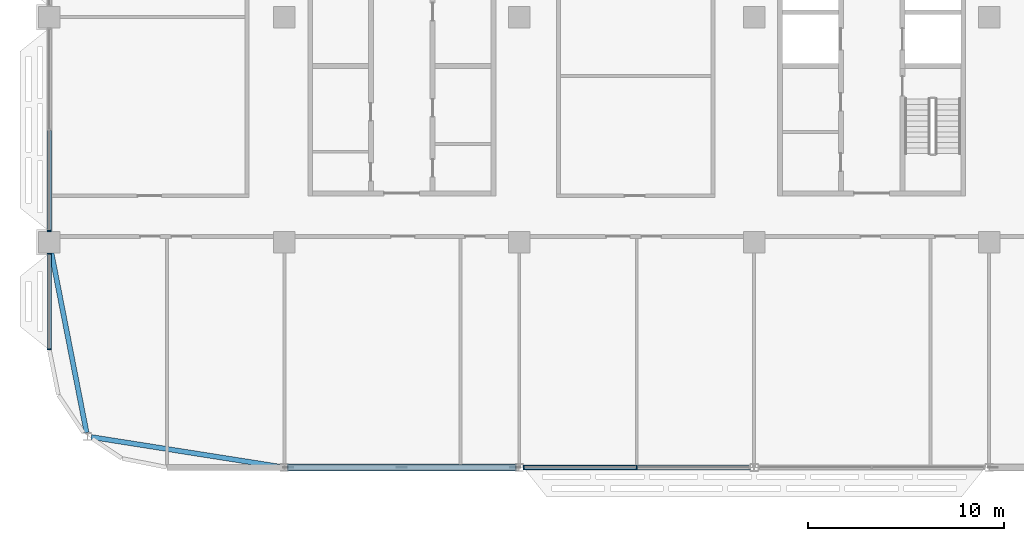
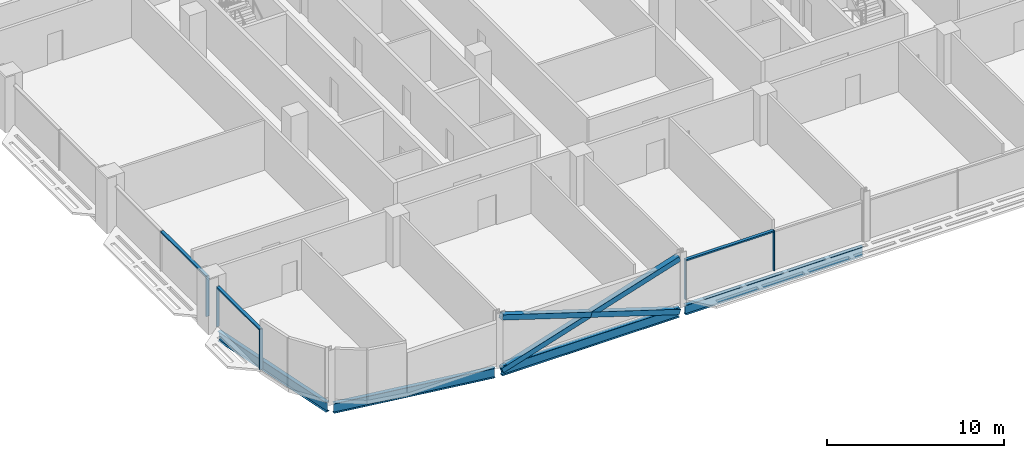
# One storey, part 4 of 30: 11 members, 4 beams, 3 elements without a shape of their own.
"""IFC4 building model written with IfcOpenShell, lengths in metres."""

from ifc_helpers import new_model, si_unit, direction, frame, origin, origin_2d, place, context, subcontext, project, spatial, rectangle, hollow_rectangle, i_section, extrude, material, material_profile, profile_set, type_object, element, aggregate, save


model = new_model("IFC4")

# Units and contexts
model_context = context("Model", 3, precision=1e-05, world=origin(), true_north=direction((0.0, 1.0)))
body_context = subcontext(model_context, "Body", "Model", "MODEL_VIEW")
ifc_project = project(units=[si_unit("LENGTHUNIT", "METRE"), si_unit("AREAUNIT", "SQUARE_METRE"), si_unit("VOLUMEUNIT", "CUBIC_METRE"), si_unit("PLANEANGLEUNIT", "RADIAN"), si_unit("MASSUNIT", "GRAM", prefix="KILO")], contexts=[model_context])

# Site, building, storey
site_placement = place(None, origin())
site = spatial("IfcSite", under=ifc_project, at=site_placement, CompositionType="ELEMENT")
building_placement = place(site_placement, origin())
building = spatial("IfcBuilding", under=site, at=building_placement, Name="Mahtab Terrace Research Tower", CompositionType="ELEMENT")
storey_placement = place(building_placement, frame((0.0, 0.0, 205.300048828125)))
storey = spatial("IfcBuildingStorey", under=building, at=storey_placement, Name="L49", CompositionType="ELEMENT", Elevation=205.300048828125)

# Members
ifc_material_1 = material(Name="Steel ASTM A500 Gr C", Category="steel")
ifc_material_profile_1 = material_profile(ifc_material_1, hollow_rectangle(XDim=0.355712890625, YDim=0.355712890625, WallThickness=0.015869140625, at=origin_2d()), Name="HSS14X14X5/8")
ifc_profile_set_1 = profile_set([ifc_material_profile_1], Name="Steel ASTM A500 Gr C")
member_type_1 = type_object("IfcMemberType", Name="HSS 14x14x5/8 brace XB141458", PredefinedType="BRACE", material=ifc_profile_set_1)
member_1_placement = place(storey_placement, frame((-29.79931640625, -23.0, -0.61572265625), z_axis=(0.953337604941, 0.0, 0.301906295073), x_axis=(0.0, 1.0, 0.0)))
element("IfcMember", 1, at=member_1_placement, inside=storey, type_object=member_type_1, Name="Exoskeleton brace L49 14 a", PredefinedType="BRACE", context=body_context, shape_type="SweptSolid", body=[
    extrude(hollow_rectangle(XDim=0.355712890625, YDim=0.355712890625, WallThickness=0.015869140625, at=origin_2d()), origin(), (0.0, 0.0, 1.0), 12.166259765625),
])
for number, where, z_axis, x_axis, name in (
    (2, (-18.20068359375, -23.0, -0.61572265625), (-0.953331829178, 0.0, 0.301924532749), (0.0, -1.0, 0.0), "Exoskeleton brace L49 14 b1"),
    (3, (-24.0, -23.0, 1.220947265625), (-0.953343380425, 0.0, 0.301888057067), (0.0, -1.0, 0.0), "Exoskeleton brace L49 14 b2"),
):
    element("IfcMember", number, at=place(storey_placement, frame(where, z_axis=z_axis, x_axis=x_axis)), inside=storey, type_object=member_type_1, Name=name, PredefinedType="BRACE", context=body_context, shape_type="SweptSolid", body=[
        extrude(hollow_rectangle(XDim=0.355712890625, YDim=0.355712890625, WallThickness=0.015869140625, at=origin_2d()), origin(), (0.0, 0.0, 1.0), 6.083251953125),
    ])

# Curtain wall, member
ifc_material_2 = material(Name="Laboratory ribbon curtain wall")
curtain_wall_type = type_object("IfcCurtainWallType", Name="Laboratory ribbon curtain wall", PredefinedType="NOTDEFINED", material=ifc_material_2)
curtain_wall_1_placement = place(storey_placement, origin())
curtain_wall_1 = element("IfcCurtainWall", 4, at=curtain_wall_1_placement, inside=storey, type_object=curtain_wall_type, Name="EN.L49.8.17", PredefinedType="NOTDEFINED")
ifc_material_3 = material(Name="Natural anodised aluminium", Category="aluminium")
ifc_material_profile_2 = material_profile(ifc_material_3, rectangle(XDim=0.199951171875, YDim=0.06494140625, at=origin_2d()), Name="MULLION 65x200")
ifc_profile_set_2 = profile_set([ifc_material_profile_2], Name="Natural anodised aluminium")
member_type_2 = type_object("IfcMemberType", Name="Laboratory ribbon curtain wall mullion", PredefinedType="MULLION", material=ifc_profile_set_2)
member_2_placement = place(storey_placement, frame((-42.0, -10.91748046875, 0.0), z_axis=(0.0, 0.0, 1.0), x_axis=(1.0, 0.0, 0.0)))
member_2 = element("IfcMember", 5, at=member_2_placement, type_object=member_type_2, Name="CWL-6 mullion 3", PredefinedType="MULLION", context=body_context, shape_type="SweptSolid", body=[
    extrude(rectangle(XDim=0.199951171875, YDim=0.06494140625, at=origin_2d()), origin(), (0.0, 0.0, 1.0), 2.78173828125),
])

# Curtain wall, members
curtain_wall_2_placement = place(storey_placement, origin())
curtain_wall_2 = element("IfcCurtainWall", 6, at=curtain_wall_2_placement, inside=storey, type_object=curtain_wall_type, Name="EN.L49.8.18", PredefinedType="NOTDEFINED")
member_3_placement = place(storey_placement, frame((-42.0, -12.08251953125, 0.0), z_axis=(0.0, 0.0, 1.0), x_axis=(1.0, 0.0, 0.0)))
member_3 = element("IfcMember", 7, at=member_3_placement, type_object=member_type_2, Name="CWL-6 mullion 1", PredefinedType="MULLION", context=body_context, shape_type="SweptSolid", body=[
    extrude(rectangle(XDim=0.199951171875, YDim=0.06494140625, at=origin_2d()), origin(), (0.0, 0.0, 1.0), 2.78173828125),
])
member_4_placement = place(storey_placement, frame((-42.0, -16.967529296875, 0.0), z_axis=(0.0, 0.0, 1.0), x_axis=(1.0, 0.0, 0.0)))
member_4 = element("IfcMember", 8, at=member_4_placement, type_object=member_type_2, Name="CWL-6 mullion 2", PredefinedType="MULLION", context=body_context, shape_type="SweptSolid", body=[
    extrude(rectangle(XDim=0.199951171875, YDim=0.06494140625, at=origin_2d()), origin(), (0.0, 0.0, 1.0), 2.78173828125),
])

curtain_wall_3_placement = place(storey_placement, origin())
curtain_wall_3 = element("IfcCurtainWall", 9, at=curtain_wall_3_placement, inside=storey, type_object=curtain_wall_type, Name="EN.L49.13.25", PredefinedType="NOTDEFINED")
member_5_placement = place(storey_placement, frame((-17.767578125, -23.0, 0.0), z_axis=(0.0, 0.0, 1.0), x_axis=(0.0, 1.0, 0.0)))
member_5 = element("IfcMember", 10, at=member_5_placement, type_object=member_type_2, Name="CWL-6 mullion 1", PredefinedType="MULLION", context=body_context, shape_type="SweptSolid", body=[
    extrude(rectangle(XDim=0.199951171875, YDim=0.06494140625, at=origin_2d()), origin(), (0.0, 0.0, 1.0), 2.78173828125),
])
member_6_placement = place(storey_placement, frame((-12.0, -23.0, 0.0), z_axis=(0.0, 0.0, 1.0), x_axis=(0.0, 1.0, 0.0)))
member_6 = element("IfcMember", 11, at=member_6_placement, type_object=member_type_2, Name="CWL-6 mullion 2", PredefinedType="MULLION", context=body_context, shape_type="SweptSolid", body=[
    extrude(rectangle(XDim=0.199951171875, YDim=0.06494140625, at=origin_2d()), origin(), (0.0, 0.0, 1.0), 2.78173828125),
])

# Member
ifc_material_profile_3 = material_profile(ifc_material_3, rectangle(XDim=0.199951171875, YDim=0.10009765625, at=origin_2d()), Name="TRANSOM 100x200")
ifc_profile_set_3 = profile_set([ifc_material_profile_3], Name="Natural anodised aluminium")
member_type_3 = type_object("IfcMemberType", Name="Laboratory ribbon curtain wall transom", PredefinedType="USERDEFINED", material=ifc_profile_set_3)
member_7_placement = place(storey_placement, frame((-42.0, -5.782470703125, 2.731689453125), z_axis=(0.0, -1.0, 0.0), x_axis=(1.0, 0.0, 0.0)))
member_7 = element("IfcMember", 12, at=member_7_placement, type_object=member_type_3, Name="CWL-6 transom 2", ObjectType="TRANSOM", PredefinedType="USERDEFINED", context=body_context, shape_type="SweptSolid", body=[
    extrude(rectangle(XDim=0.199951171875, YDim=0.10009765625, at=origin_2d()), origin(), (0.0, 0.0, 1.0), 5.1025390625),
])

aggregate(curtain_wall_1, [member_2, member_7])

member_8_placement = place(storey_placement, frame((-42.0, -12.114990234375, 2.731689453125), z_axis=(0.0, -1.0, 0.0), x_axis=(1.0, 0.0, 0.0)))
member_8 = element("IfcMember", 13, at=member_8_placement, type_object=member_type_3, Name="CWL-6 transom 1", ObjectType="TRANSOM", PredefinedType="USERDEFINED", context=body_context, shape_type="SweptSolid", body=[
    extrude(rectangle(XDim=0.199951171875, YDim=0.10009765625, at=origin_2d()), origin(), (0.0, 0.0, 1.0), 4.820068359375),
])

aggregate(curtain_wall_2, [member_3, member_4, member_8])

member_9_placement = place(storey_placement, frame((-17.735107421875, -23.0, 2.731689453125), z_axis=(1.0, 0.0, 0.0), x_axis=(0.0, 1.0, 0.0)))
member_9 = element("IfcMember", 14, at=member_9_placement, type_object=member_type_3, Name="CWL-6 transom 1", ObjectType="TRANSOM", PredefinedType="USERDEFINED", context=body_context, shape_type="SweptSolid", body=[
    extrude(rectangle(XDim=0.199951171875, YDim=0.10009765625, at=origin_2d()), origin(), (0.0, 0.0, 1.0), 5.70263671875),
])

aggregate(curtain_wall_3, [member_5, member_6, member_9])

# Beams
ifc_material_4 = material(Name="Steel ASTM A992 Gr 50", Category="steel")
ifc_material_profile_4 = material_profile(ifc_material_4, i_section(OverallWidth=0.25390625, OverallDepth=0.67822265625, WebThickness=0.01171875, FlangeThickness=0.016357421875, at=origin_2d()), Name="W27X84")
ifc_profile_set_4 = profile_set([ifc_material_profile_4], Name="Steel ASTM A992 Gr 50")
beam_type = type_object("IfcBeamType", Name="W27x84 beam BS2784", PredefinedType="BEAM", material=ifc_profile_set_4)
beam_1_placement = place(storey_placement, frame((-41.892578125, -12.050048828125, -0.67919921875), z_axis=(0.191811291145, -0.981431825747, 0.0), x_axis=(0.981431825747, 0.191811291145, 0.0)))
element("IfcBeam", 15, at=beam_1_placement, inside=storey, type_object=beam_type, Name="Spandrel beam L49 12", PredefinedType="BEAM", context=body_context, shape_type="SweptSolid", body=[
    extrude(i_section(OverallWidth=0.25390625, OverallDepth=0.67822265625, WebThickness=0.01171875, FlangeThickness=0.016357421875, at=origin_2d()), origin(), (0.0, 0.0, 1.0), 9.33984375),
])
beam_2_placement = place(storey_placement, frame((-39.861328125, -21.447509765625, -0.67919921875), z_axis=(0.987831689273, -0.155526697604, 0.0), x_axis=(0.155526697604, 0.987831689273, 0.0)))
element("IfcBeam", 16, at=beam_2_placement, inside=storey, type_object=beam_type, Name="Spandrel beam L49 13", PredefinedType="BEAM", context=body_context, shape_type="SweptSolid", body=[
    extrude(i_section(OverallWidth=0.25390625, OverallDepth=0.67822265625, WebThickness=0.01171875, FlangeThickness=0.016357421875, at=origin_2d()), origin(), (0.0, 0.0, 1.0), 9.779541015625),
])
for number, where, z_axis, x_axis, name in (
    (17, (-29.79931640625, -23.0, -0.67919921875), (1.0, 0.0, 0.0), (0.0, 1.0, 0.0), "Spandrel beam L49 14"),
    (18, (-17.79931640625, -23.0, -0.67919921875), (1.0, 0.0, 0.0), (0.0, 1.0, 0.0), "Spandrel beam L49 15"),
):
    element("IfcBeam", number, at=place(storey_placement, frame(where, z_axis=z_axis, x_axis=x_axis)), inside=storey, type_object=beam_type, Name=name, PredefinedType="BEAM", context=body_context, shape_type="SweptSolid", body=[
        extrude(i_section(OverallWidth=0.25390625, OverallDepth=0.67822265625, WebThickness=0.01171875, FlangeThickness=0.016357421875, at=origin_2d()), origin(), (0.0, 0.0, 1.0), 11.5986328125),
    ])

save(model, "model.ifc")
